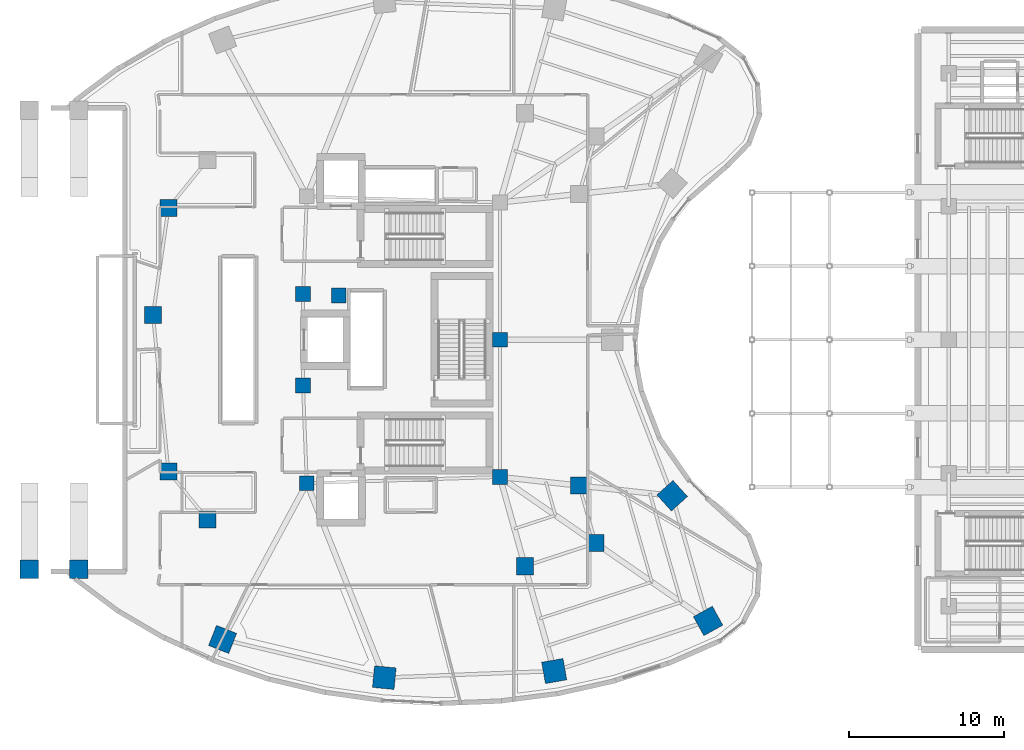
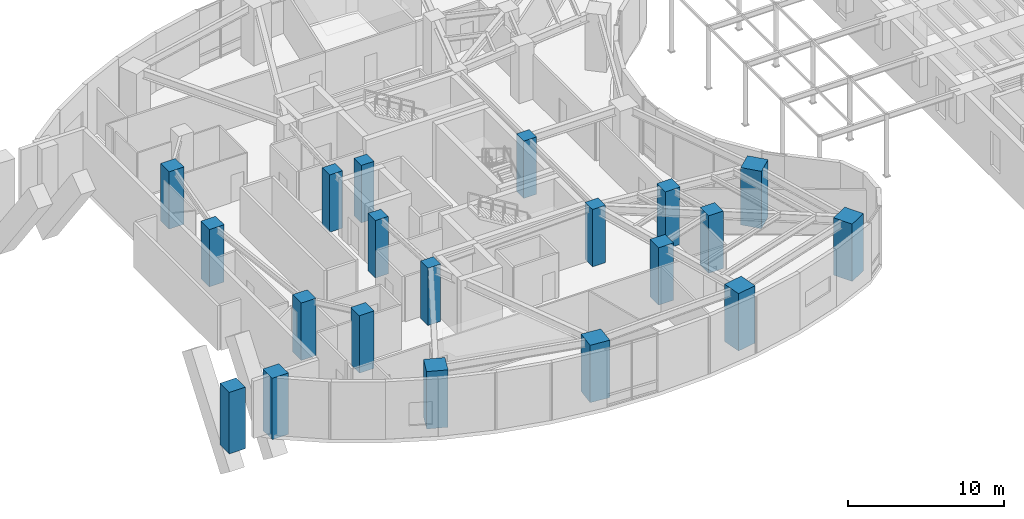
# One storey, part 1 of 24: 20 columns.
"""IFC4 building model written with IfcOpenShell, lengths in metres."""

from ifc_helpers import new_model, si_unit, direction, frame, origin, origin_2d, place, context, subcontext, project, spatial, rectangle, extrude, material, material_profile, profile_set, type_object, element, save


model = new_model("IFC4")

# Units and contexts
model_context = context("Model", 3, precision=1e-05, world=origin(), true_north=direction((0.0, 1.0)))
body_context = subcontext(model_context, "Body", "Model", "MODEL_VIEW")
ifc_project = project(units=[si_unit("LENGTHUNIT", "METRE"), si_unit("AREAUNIT", "SQUARE_METRE"), si_unit("VOLUMEUNIT", "CUBIC_METRE"), si_unit("PLANEANGLEUNIT", "RADIAN"), si_unit("MASSUNIT", "GRAM", prefix="KILO")], contexts=[model_context])

# Site, building, storey
site_placement = place(None, origin())
site = spatial("IfcSite", under=ifc_project, at=site_placement, CompositionType="ELEMENT")
building_placement = place(site_placement, origin())
building = spatial("IfcBuilding", under=site, at=building_placement, Name="Korentha Bioscience Tower", CompositionType="ELEMENT")
storey_placement = place(building_placement, frame((0.0, 0.0, 5.39990234375)))
storey = spatial("IfcBuildingStorey", under=building, at=storey_placement, Name="L01", CompositionType="ELEMENT", Elevation=5.39990234375)

# Columns
ifc_material_1 = material(Name="Concrete C65", Category="concrete")
ifc_material_profile_1 = material_profile(ifc_material_1, rectangle(XDim=0.949951171875, YDim=0.949951171875, at=origin_2d()), Name="Concrete C65")
ifc_profile_set_1 = profile_set([ifc_material_profile_1], Name="Concrete C65 (COL-CP09)")
column_type_1 = type_object("IfcColumnType", Name="Core Pilaster Column RC 950x950", PredefinedType="PILASTER", material=ifc_profile_set_1)
for number, where, z_axis, x_axis, name in (
    (1, (24.85009765625, 29.949951171875, -0.00048828125), (0.0, 0.0, 1.0), (1.0, 0.0, 0.0), "L01 Core Pilaster CP-03"),
    (2, (27.14990234375, 29.85009765625, -0.00048828125), (0.0, 0.0, 1.0), (1.0, 0.0, 0.0), "L01 Core Pilaster CP-04"),
    (3, (24.85009765625, 24.050048828125, -0.00048828125), (0.0, 0.0, 1.0), (1.0, 0.0, 0.0), "L01 Core Pilaster CP-05"),
    (4, (25.10009765625, 17.75, -0.00048828125), (0.0, 0.0, 1.0), (1.0, 0.0, 0.0), "L01 Core Pilaster CP-06"),
    (5, (37.550048828125, 18.14990234375, -0.00048828125), (0.0, 0.0, 1.0), (1.0, 0.0, 0.0), "L01 Core Pilaster CP-07"),
    (6, (37.550048828125, 27.0, -0.00048828125), (0.0, 0.0, 1.0), (1.0, 0.0, 0.0), "L01 Core Pilaster CP-08"),
):
    element("IfcColumn", number, at=place(storey_placement, frame(where, z_axis=z_axis, x_axis=x_axis)), inside=storey, type_object=column_type_1, Name=name, PredefinedType="PILASTER", context=body_context, shape_type="SweptSolid", body=[
        extrude(rectangle(XDim=0.949951171875, YDim=0.949951171875, at=origin_2d()), origin(), (0.0, 0.0, 1.0), 4.5009765625),
    ])
ifc_material_2 = material(Name="Concrete C80", Category="concrete")
ifc_material_profile_2 = material_profile(ifc_material_2, rectangle(XDim=1.10009765625, YDim=1.10009765625, at=origin_2d()), Name="Concrete C80")
ifc_profile_set_2 = profile_set([ifc_material_profile_2], Name="Concrete C80 (COL-MR11)")
column_type_2 = type_object("IfcColumnType", Name="Mid-Ring Lab Column RC 1100x1100", PredefinedType="COLUMN", material=ifc_profile_set_2)
for number, where, z_axis, x_axis, name in (
    (7, (16.174072265625, 35.489013671875, -0.00048828125), (0.0, 0.0, 1.0), (1.0, 0.0, 0.0), "L01 Mid-Ring Column 06"),
    (8, (15.1787109375, 28.593505859375, -0.00048828125), (0.0, 0.0, 1.0), (1.0, 0.0, 0.0), "L01 Mid-Ring Column 07"),
    (9, (16.174072265625, 18.510986328125, -0.00048828125), (0.0, 0.0, 1.0), (1.0, 0.0, 0.0), "L01 Mid-Ring Column 08"),
    (10, (18.692138671875, 15.4052734375, -0.00048828125), (0.0, 0.0, 1.0), (1.0, 0.0, 0.0), "L01 Mid-Ring Column 09"),
    (11, (39.1611328125, 12.392333984375, -0.00048828125), (0.0, 0.0, 1.0), (1.0, 0.0, 0.0), "L01 Mid-Ring Column 12"),
    (12, (43.7265625, 13.878662109375, -0.00048828125), (0.0, 0.0, 1.0), (1.0, 0.0, 0.0), "L01 Mid-Ring Column 13"),
    (13, (42.66162109375, 17.593017578125, -0.00048828125), (0.0, 0.0, 1.0), (1.0, 0.0, 0.0), "L01 Mid-Ring Column 14"),
):
    element("IfcColumn", number, at=place(storey_placement, frame(where, z_axis=z_axis, x_axis=x_axis)), inside=storey, type_object=column_type_2, Name=name, PredefinedType="COLUMN", context=body_context, shape_type="SweptSolid", body=[
        extrude(rectangle(XDim=1.10009765625, YDim=1.10009765625, at=origin_2d()), origin(), (0.0, 0.0, 1.0), 4.5009765625),
    ])
ifc_material_profile_3 = material_profile(ifc_material_2, rectangle(XDim=1.199951171875, YDim=1.199951171875, at=origin_2d()), Name="Concrete C80")
ifc_profile_set_3 = profile_set([ifc_material_profile_3], Name="Concrete C80 (COL-P12)")
column_type_3 = type_object("IfcColumnType", Name="Perimeter Column RC 1200x1200", PredefinedType="COLUMN", material=ifc_profile_set_3)
for number, where, z_axis, x_axis, name in (
    (14, (7.199951171875, 12.199951171875, -0.31982421875), (0.0, 0.0, 1.0), (1.0, 0.0, 0.0), "L01 Arch End Pier 1-S"),
    (15, (10.39990234375, 12.199951171875, -0.31982421875), (0.0, 0.0, 1.0), (1.0, 0.0, 0.0), "L01 Arch End Pier 2-S"),
):
    element("IfcColumn", number, at=place(storey_placement, frame(where, z_axis=z_axis, x_axis=x_axis)), inside=storey, type_object=column_type_3, Name=name, PredefinedType="COLUMN", context=body_context, shape_type="SweptSolid", body=[
        extrude(rectangle(XDim=1.199951171875, YDim=1.199951171875, at=origin_2d()), origin(), (0.0, 0.0, 1.0), 4.81982421875),
    ])
ifc_material_profile_4 = material_profile(ifc_material_2, rectangle(XDim=1.39990234375, YDim=1.39990234375, at=origin_2d()), Name="Concrete C80")
ifc_profile_set_4 = profile_set([ifc_material_profile_4], Name="Concrete C80 (COL-P14)")
column_type_4 = type_object("IfcColumnType", Name="Perimeter Column RC 1400x1400", PredefinedType="COLUMN", material=ifc_profile_set_4)
for number, where, z_axis, x_axis, name in (
    (16, (19.66650390625, 7.671142578125, -0.00048828125), (0.0, 0.0, 1.0), (-0.930225540858, 0.366988341962, 0.0), "L01 Perimeter Column 10"),
    (17, (30.09423828125, 5.20751953125, -0.00048828125), (0.0, 0.0, 1.0), (-0.995462868748, 0.095150811579, 0.0), "L01 Perimeter Column 11"),
    (18, (41.052490234375, 5.63330078125, -0.00048828125), (0.0, 0.0, 1.0), (0.984868307662, 0.173304404339, 0.0), "L01 Perimeter Column 12"),
    (19, (50.977294921875, 8.864501953125, -0.00048828125), (0.0, 0.0, 1.0), (0.874535078577, 0.484962262797, 0.0), "L01 Perimeter Column 13"),
    (20, (48.661865234375, 16.939208984375, -0.00048828125), (0.0, 0.0, 1.0), (-0.669130606359, 0.743144825477, 0.0), "L01 Perimeter Column 14"),
):
    element("IfcColumn", number, at=place(storey_placement, frame(where, z_axis=z_axis, x_axis=x_axis)), inside=storey, type_object=column_type_4, Name=name, PredefinedType="COLUMN", context=body_context, shape_type="SweptSolid", body=[
        extrude(rectangle(XDim=1.39990234375, YDim=1.39990234375, at=origin_2d()), origin(), (0.0, 0.0, 1.0), 4.5009765625),
    ])

save(model, "model.ifc")
